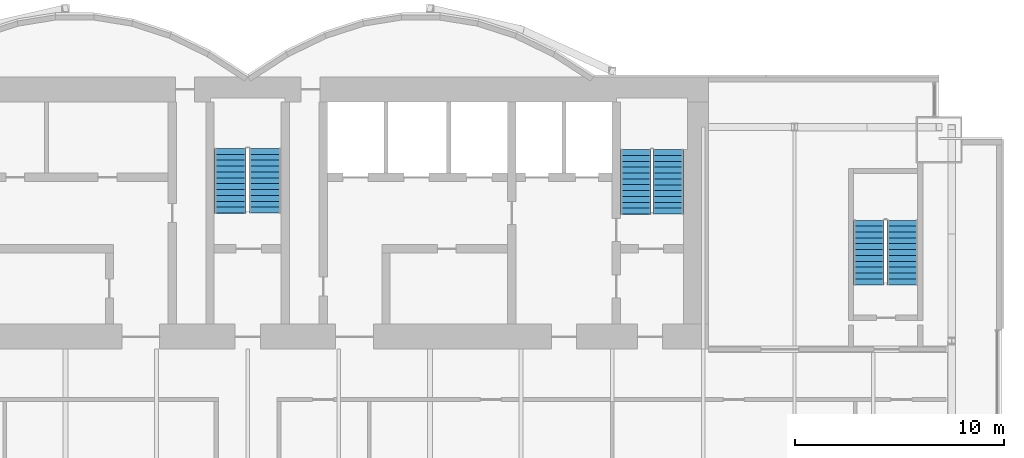
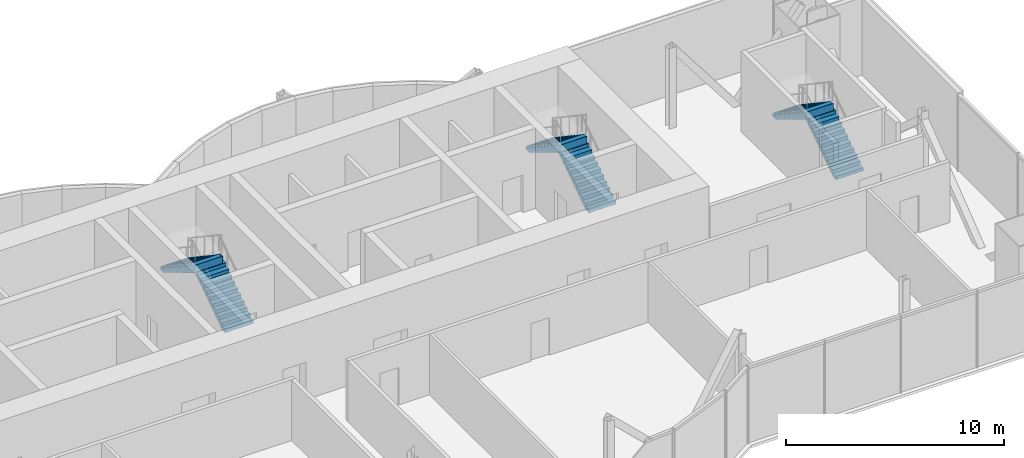
# One storey, part 15 of 18: 6 stair flights, 3 elements without a shape of their own.
"""IFC4 building model written with IfcOpenShell, lengths in metres."""

from ifc_helpers import new_model, si_unit, direction, frame, origin, place, context, subcontext, project, spatial, polyline, outline, extrude, material, type_object, element, aggregate, save


model = new_model("IFC4")

# Units and contexts
model_context = context("Model", 3, precision=1e-05, world=origin(), true_north=direction((0.0, 1.0)))
body_context = subcontext(model_context, "Body", "Model", "MODEL_VIEW")
ifc_project = project(units=[si_unit("LENGTHUNIT", "METRE"), si_unit("AREAUNIT", "SQUARE_METRE"), si_unit("VOLUMEUNIT", "CUBIC_METRE"), si_unit("PLANEANGLEUNIT", "RADIAN"), si_unit("MASSUNIT", "GRAM", prefix="KILO")], contexts=[model_context])

# Site, building, storey
site_placement = place(None, origin())
site = spatial("IfcSite", under=ifc_project, at=site_placement, CompositionType="ELEMENT")
building_placement = place(site_placement, origin())
building = spatial("IfcBuilding", under=site, at=building_placement, Name="Bicima Exchange Tower", CompositionType="ELEMENT")
storey_placement = place(building_placement, frame((0.0, 0.0, 311.0)))
storey = spatial("IfcBuildingStorey", under=building, at=storey_placement, Name="L70", CompositionType="ELEMENT", Elevation=311.0)

# Stair, stair flights
ifc_material = material(Name="Concrete C50/60", Category="concrete")
stair_type_1 = type_object("IfcStairType", Name="Exit stair", PredefinedType="HALF_TURN_STAIR", material=ifc_material)
stair_1_placement = place(storey_placement, origin())
stair_1 = element("IfcStair", 1, at=stair_1_placement, inside=storey, type_object=stair_type_1, Name="L70 East exit stair", PredefinedType="HALF_TURN_STAIR")
stair_flight_type_1 = type_object("IfcStairFlightType", Name="Stair flight RC", PredefinedType="STRAIGHT", material=ifc_material)
stair_flight_1_placement = place(storey_placement, frame((20.074951171875, -6.550048828125, 0.0), z_axis=(0.0, 0.0, 1.0), x_axis=(0.0, 1.0, 0.0)))
stair_flight_1 = element("IfcStairFlight", 2, at=stair_flight_1_placement, type_object=stair_flight_type_1, Name="ST-E flight 1", NumberOfRisers=12, NumberOfTreads=11, PredefinedType="STRAIGHT", RiserHeight=0.1875, TreadLength=0.28, context=body_context, shape_type="SweptSolid", body=[
    extrude(outline(polyline([(0.0, 0.0), (0.0, 0.1875), (0.280029296875, 0.1875), (0.280029296875, 0.375), (0.56005859375, 0.375), (0.56005859375, 0.5625), (0.840087890625, 0.5625), (0.840087890625, 0.75), (1.1201171875, 0.75), (1.1201171875, 0.9375), (1.39990234375, 0.9375), (1.39990234375, 1.125), (1.679931640625, 1.125), (1.679931640625, 1.3125), (1.9599609375, 1.3125), (1.9599609375, 1.5), (2.239990234375, 1.5), (2.239990234375, 1.6875), (2.52001953125, 1.6875), (2.52001953125, 1.875), (2.800048828125, 1.875), (2.800048828125, 2.0625), (3.080078125, 2.0625), (3.080078125, 2.25), (3.080078125, 1.882080078125), (0.26953125, 0.0), (0.0, 0.0)])), frame((0.0, 0.72509765625, 0.0), z_axis=(0.0, -1.0, 0.0), x_axis=(1.0, 0.0, 0.0)), (0.0, 0.0, 1.0), 1.449951171875),
])
stair_flight_2_placement = place(storey_placement, frame((18.52490234375, -3.469970703125, 2.25), z_axis=(0.0, 0.0, 1.0), x_axis=(0.0, -1.0, 0.0)))
stair_flight_2 = element("IfcStairFlight", 3, at=stair_flight_2_placement, type_object=stair_flight_type_1, Name="ST-E flight 2", NumberOfRisers=12, NumberOfTreads=11, PredefinedType="STRAIGHT", RiserHeight=0.1875, TreadLength=0.28, context=body_context, shape_type="SweptSolid", body=[
    extrude(outline(polyline([(0.0, 0.0), (0.0, 0.1875), (0.280029296875, 0.1875), (0.280029296875, 0.375), (0.56005859375, 0.375), (0.56005859375, 0.5625), (0.840087890625, 0.5625), (0.840087890625, 0.75), (1.1201171875, 0.75), (1.1201171875, 0.9375), (1.39990234375, 0.9375), (1.39990234375, 1.125), (1.679931640625, 1.125), (1.679931640625, 1.3125), (1.9599609375, 1.3125), (1.9599609375, 1.5), (2.239990234375, 1.5), (2.239990234375, 1.6875), (2.52001953125, 1.6875), (2.52001953125, 1.875), (2.800048828125, 1.875), (2.800048828125, 2.0625), (3.080078125, 2.0625), (3.080078125, 2.10400390625), (3.094970703125, 2.10400390625), (3.094970703125, 1.70458984375), (0.26953125, 0.0), (0.0, 0.0)])), frame((0.0, 0.72509765625, 0.0), z_axis=(0.0, -1.0, 0.0), x_axis=(1.0, 0.0, 0.0)), (0.0, 0.0, 1.0), 1.449951171875),
])
aggregate(stair_1, [stair_flight_1, stair_flight_2])

stair_2_placement = place(storey_placement, origin())
stair_2 = element("IfcStair", 4, at=stair_2_placement, inside=storey, type_object=stair_type_1, Name="L70 East end exit stair", PredefinedType="HALF_TURN_STAIR")
stair_flight_3_placement = place(storey_placement, frame((31.25, -9.925048828125, 0.0), z_axis=(0.0, 0.0, 1.0), x_axis=(0.0, 1.0, 0.0)))
stair_flight_3 = element("IfcStairFlight", 5, at=stair_flight_3_placement, type_object=stair_flight_type_1, Name="ST-EE flight 1", NumberOfRisers=12, NumberOfTreads=11, PredefinedType="STRAIGHT", RiserHeight=0.1875, TreadLength=0.28, context=body_context, shape_type="SweptSolid", body=[
    extrude(outline(polyline([(0.0, 0.0), (0.0, 0.1875), (0.280029296875, 0.1875), (0.280029296875, 0.375), (0.56005859375, 0.375), (0.56005859375, 0.5625), (0.840087890625, 0.5625), (0.840087890625, 0.75), (1.1201171875, 0.75), (1.1201171875, 0.9375), (1.39990234375, 0.9375), (1.39990234375, 1.125), (1.679931640625, 1.125), (1.679931640625, 1.3125), (1.9599609375, 1.3125), (1.9599609375, 1.5), (2.239990234375, 1.5), (2.239990234375, 1.6875), (2.52001953125, 1.6875), (2.52001953125, 1.875), (2.800048828125, 1.875), (2.800048828125, 2.0625), (3.080078125, 2.0625), (3.080078125, 2.25), (3.080078125, 1.882080078125), (0.26953125, 0.0), (0.0, 0.0)])), frame((0.0, 0.72509765625, 0.0), z_axis=(0.0, -1.0, 0.0), x_axis=(1.0, 0.0, 0.0)), (0.0, 0.0, 1.0), 1.449951171875),
])
stair_flight_4_placement = place(storey_placement, frame((29.64990234375, -6.844970703125, 2.25), z_axis=(0.0, 0.0, 1.0), x_axis=(0.0, -1.0, 0.0)))
stair_flight_4 = element("IfcStairFlight", 6, at=stair_flight_4_placement, type_object=stair_flight_type_1, Name="ST-EE flight 2", NumberOfRisers=12, NumberOfTreads=11, PredefinedType="STRAIGHT", RiserHeight=0.1875, TreadLength=0.28, context=body_context, shape_type="SweptSolid", body=[
    extrude(outline(polyline([(0.0, 0.0), (0.0, 0.1875), (0.280029296875, 0.1875), (0.280029296875, 0.375), (0.56005859375, 0.375), (0.56005859375, 0.5625), (0.840087890625, 0.5625), (0.840087890625, 0.75), (1.1201171875, 0.75), (1.1201171875, 0.9375), (1.39990234375, 0.9375), (1.39990234375, 1.125), (1.679931640625, 1.125), (1.679931640625, 1.3125), (1.9599609375, 1.3125), (1.9599609375, 1.5), (2.239990234375, 1.5), (2.239990234375, 1.6875), (2.52001953125, 1.6875), (2.52001953125, 1.875), (2.800048828125, 1.875), (2.800048828125, 2.0625), (3.080078125, 2.0625), (3.080078125, 2.10400390625), (3.094970703125, 2.10400390625), (3.094970703125, 1.70458984375), (0.26953125, 0.0), (0.0, 0.0)])), frame((0.0, 0.72509765625, 0.0), z_axis=(0.0, -1.0, 0.0), x_axis=(1.0, 0.0, 0.0)), (0.0, 0.0, 1.0), 1.449951171875),
])
aggregate(stair_2, [stair_flight_3, stair_flight_4])

stair_type_2 = type_object("IfcStairType", Name="Exit stair 1500", PredefinedType="HALF_TURN_STAIR", material=ifc_material)
stair_3_placement = place(storey_placement, origin())
stair_3 = element("IfcStair", 7, at=stair_3_placement, inside=storey, type_object=stair_type_2, Name="L70 Central exit stair", PredefinedType="HALF_TURN_STAIR")
stair_flight_type_2 = type_object("IfcStairFlightType", Name="Stair flight RC 1500", PredefinedType="STRAIGHT", material=ifc_material)
stair_flight_5_placement = place(storey_placement, frame((0.824951171875, -6.5, 0.0), z_axis=(0.0, 0.0, 1.0), x_axis=(0.0, 1.0, 0.0)))
stair_flight_5 = element("IfcStairFlight", 8, at=stair_flight_5_placement, type_object=stair_flight_type_2, Name="ST-C flight 1", NumberOfRisers=12, NumberOfTreads=11, PredefinedType="STRAIGHT", RiserHeight=0.1875, TreadLength=0.28, context=body_context, shape_type="SweptSolid", body=[
    extrude(outline(polyline([(0.0, 0.0), (0.0, 0.1875), (0.280029296875, 0.1875), (0.280029296875, 0.375), (0.56005859375, 0.375), (0.56005859375, 0.5625), (0.840087890625, 0.5625), (0.840087890625, 0.75), (1.1201171875, 0.75), (1.1201171875, 0.9375), (1.39990234375, 0.9375), (1.39990234375, 1.125), (1.679931640625, 1.125), (1.679931640625, 1.3125), (1.9599609375, 1.3125), (1.9599609375, 1.5), (2.239990234375, 1.5), (2.239990234375, 1.6875), (2.52001953125, 1.6875), (2.52001953125, 1.875), (2.800048828125, 1.875), (2.800048828125, 2.0625), (3.080078125, 2.0625), (3.080078125, 2.25), (3.080078125, 1.882080078125), (0.26953125, 0.0), (0.0, 0.0)])), frame((0.0, 0.75, 0.0), z_axis=(0.0, -1.0, 0.0), x_axis=(1.0, 0.0, 0.0)), (0.0, 0.0, 1.0), 1.5),
])
stair_flight_6_placement = place(storey_placement, frame((-0.824951171875, -3.419921875, 2.25), z_axis=(0.0, 0.0, 1.0), x_axis=(0.0, -1.0, 0.0)))
stair_flight_6 = element("IfcStairFlight", 9, at=stair_flight_6_placement, type_object=stair_flight_type_2, Name="ST-C flight 2", NumberOfRisers=12, NumberOfTreads=11, PredefinedType="STRAIGHT", RiserHeight=0.1875, TreadLength=0.28, context=body_context, shape_type="SweptSolid", body=[
    extrude(outline(polyline([(0.0, 0.0), (0.0, 0.1875), (0.280029296875, 0.1875), (0.280029296875, 0.375), (0.56005859375, 0.375), (0.56005859375, 0.5625), (0.840087890625, 0.5625), (0.840087890625, 0.75), (1.1201171875, 0.75), (1.1201171875, 0.9375), (1.39990234375, 0.9375), (1.39990234375, 1.125), (1.679931640625, 1.125), (1.679931640625, 1.3125), (1.9599609375, 1.3125), (1.9599609375, 1.5), (2.239990234375, 1.5), (2.239990234375, 1.6875), (2.52001953125, 1.6875), (2.52001953125, 1.875), (2.800048828125, 1.875), (2.800048828125, 2.0625), (3.080078125, 2.0625), (3.080078125, 2.10400390625), (3.094970703125, 2.10400390625), (3.094970703125, 1.70458984375), (0.26953125, 0.0), (0.0, 0.0)])), frame((0.0, 0.75, 0.0), z_axis=(0.0, -1.0, 0.0), x_axis=(1.0, 0.0, 0.0)), (0.0, 0.0, 1.0), 1.5),
])
aggregate(stair_3, [stair_flight_5, stair_flight_6])

save(model, "model.ifc")
